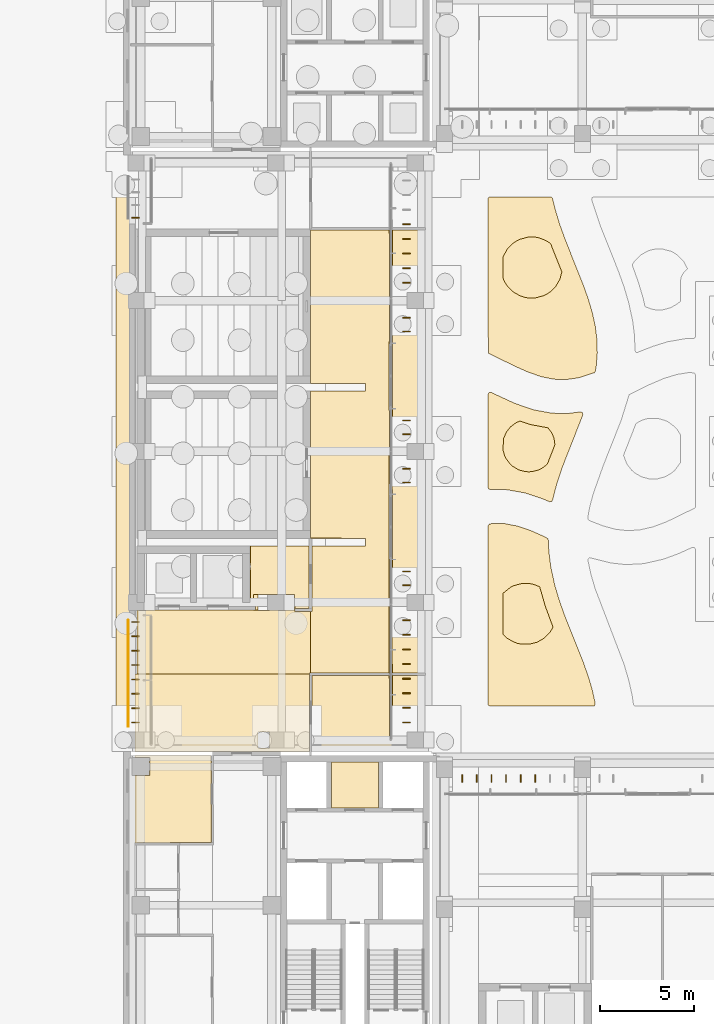
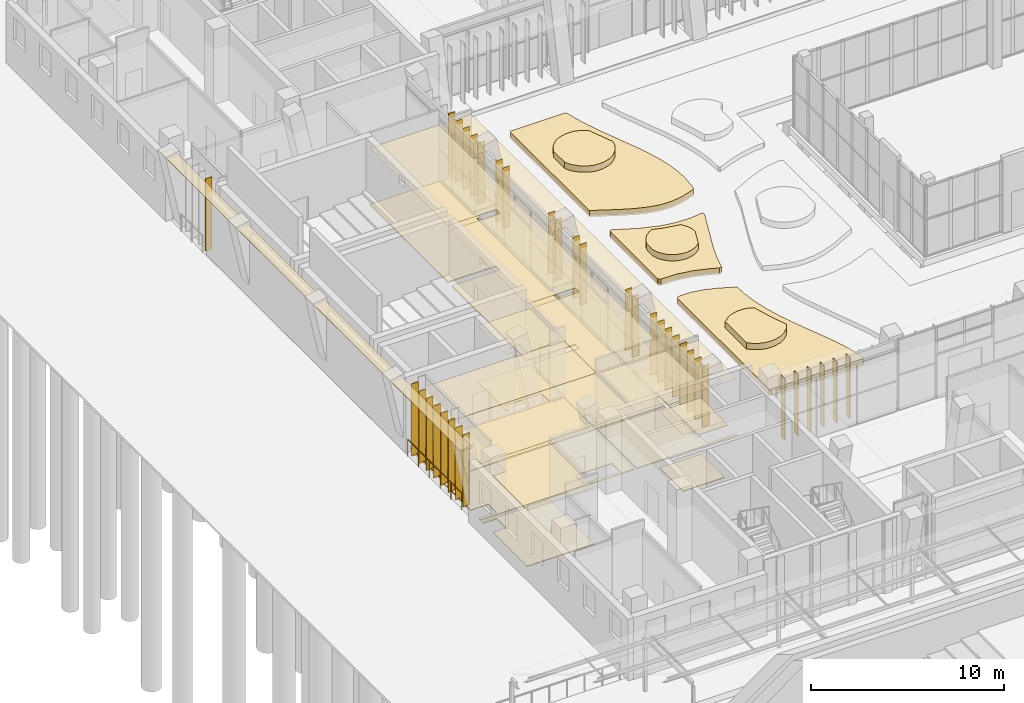
# One storey, part 128 of 144: 36 shading devices, 21 coverings, 1 railing.
"""IFC4 building model written with IfcOpenShell, lengths in metres."""

from ifc_helpers import new_model, si_unit, direction, frame, frame_2d, origin, origin_2d, place, context, subcontext, project, spatial, polyline, rectangle, circle, outline, extrude, material, layer, layer_set, type_object, element, save


model = new_model("IFC4")

# Units and contexts
model_context = context("Model", 3, precision=1e-05, world=origin(), true_north=direction((0.0, 1.0)))
body_context = subcontext(model_context, "Body", "Model", "MODEL_VIEW")
ifc_project = project(units=[si_unit("LENGTHUNIT", "METRE"), si_unit("AREAUNIT", "SQUARE_METRE"), si_unit("VOLUMEUNIT", "CUBIC_METRE"), si_unit("PLANEANGLEUNIT", "RADIAN"), si_unit("MASSUNIT", "GRAM", prefix="KILO")], contexts=[model_context])

# Site, building, storey
site_placement = place(None, origin())
site = spatial("IfcSite", under=ifc_project, at=site_placement, CompositionType="ELEMENT")
building_placement = place(site_placement, origin())
building = spatial("IfcBuilding", under=site, at=building_placement, Name="Lantern Court Media Centre", CompositionType="ELEMENT")
storey_placement = place(building_placement, origin())
storey = spatial("IfcBuildingStorey", under=building, at=storey_placement, Name="L00", CompositionType="ELEMENT", Elevation=0.0)

# Coverings
ifc_material_1 = material(Name="Carpet")
ifc_layer_1 = layer(ifc_material_1, 0.050048828125)
ifc_layer_set_1 = layer_set([ifc_layer_1], Name="Carpet")
covering_type_1 = type_object("IfcCoveringType", Name="Carpet floor finish", PredefinedType="FLOORING", material=ifc_layer_set_1)
covering_1_placement = place(storey_placement, origin())
element("IfcCovering", 1, at=covering_1_placement, inside=storey, type_object=covering_type_1, Name="Box Office floor finish", PredefinedType="FLOORING", context=body_context, shape_type="SweptSolid", body=[
    extrude(outline(polyline([(23.699951171875, 64.10009765625), (17.66748046875, 64.10009765625), (17.66748046875, 68.132568359375), (21.77001953125, 68.132568359375), (21.77490234375, 64.89501953125), (21.929931640625, 64.89990234375), (21.929931640625, 68.132568359375), (23.699951171875, 68.132568359375), (23.699951171875, 65.1298828125), (21.969970703125, 65.125), (21.97265625, 64.2705078125), (23.699951171875, 64.27001953125), (23.699951171875, 64.10009765625)])), origin(), (0.0, 0.0, 1.0), 0.050048828125),
])
covering_2_placement = place(storey_placement, origin())
element("IfcCovering", 2, at=covering_2_placement, inside=storey, type_object=covering_type_1, Name="Visitor Services and Booking floor finish", PredefinedType="FLOORING", context=body_context, shape_type="SweptSolid", body=[
    extrude(outline(polyline([(8.300048828125, 63.89990234375), (12.33251953125, 63.89990234375), (12.33251953125, 59.275390625), (8.300048828125, 59.262939453125), (8.300048828125, 62.820068359375), (9.080078125, 62.824951171875), (9.0791015625, 63.77783203125), (8.300048828125, 63.780029296875), (8.300048828125, 63.89990234375)])), origin(), (0.0, 0.0, 1.0), 0.050048828125),
])
ifc_material_2 = material(Name="Ceramic tile")
ifc_layer_2 = layer(ifc_material_2, 0.050048828125)
ifc_layer_set_2 = layer_set([ifc_layer_2], Name="Ceramic tile")
covering_type_2 = type_object("IfcCoveringType", Name="Ceramic tile floor finish", PredefinedType="FLOORING", material=ifc_layer_set_2)
covering_3_placement = place(storey_placement, origin())
element("IfcCovering", 3, at=covering_3_placement, inside=storey, type_object=covering_type_2, Name="Accessible WC floor finish", PredefinedType="FLOORING", context=body_context, shape_type="SweptSolid", body=[
    extrude(outline(polyline([(17.52001953125, 75.0), (17.52001953125, 71.679931640625), (16.76318359375, 71.679931640625), (16.7587890625, 72.429931640625), (14.573974609375, 72.429931640625), (14.570068359375, 72.0048828125), (14.405029296875, 72.0048828125), (14.405029296875, 75.0), (17.52001953125, 75.0)])), origin(), (0.0, 0.0, 1.0), 0.050048828125),
])
covering_4_placement = place(storey_placement, origin())
element("IfcCovering", 4, at=covering_4_placement, inside=storey, type_object=covering_type_2, Name="Accessible WC floor finish", PredefinedType="FLOORING", context=body_context, shape_type="SweptSolid", body=[
    extrude(outline(polyline([(21.195068359375, 61.10498046875), (18.705078125, 61.10498046875), (18.705078125, 63.544921875), (21.195068359375, 63.544921875), (21.195068359375, 61.10498046875)])), origin(), (0.0, 0.0, 1.0), 0.050048828125),
])
ifc_material_3 = material(Name="Planting soil")
ifc_layer_3 = layer(ifc_material_3, 0.39990234375)
ifc_layer_set_3 = layer_set([ifc_layer_3], Name="Planting soil")
covering_type_3 = type_object("IfcCoveringType", Name="Court planting bed 400", PredefinedType="USERDEFINED", material=ifc_layer_set_3)
covering_5_placement = place(storey_placement, frame((0.0, 0.0, -0.10009765625)))
element("IfcCovering", 5, at=covering_5_placement, inside=storey, type_object=covering_type_3, Name="Court planting bed", ObjectType="PLANTING BED", PredefinedType="USERDEFINED", context=body_context, shape_type="SweptSolid", body=[
    extrude(outline(polyline([(27.1201171875, 93.5), (30.31494140625, 93.5), (30.4189453125, 93.43798828125), (30.5419921875, 92.916015625), (30.797119140625, 92.06298828125), (31.094970703125, 91.23193359375), (32.0458984375, 88.846923828125), (32.31494140625, 88.093017578125), (32.534912109375, 87.346923828125), (32.68994140625, 86.636962890625), (32.779052734375, 85.919921875), (32.7958984375, 85.219970703125), (32.741943359375, 84.530029296875), (32.69189453125, 84.242919921875), (32.64404296875, 84.176025390625), (31.7958984375, 83.903076171875), (31.14892578125, 83.81005859375), (30.491943359375, 83.8310546875), (29.827880859375, 83.965087890625), (29.1259765625, 84.2080078125), (28.37890625, 84.5400390625), (27.01904296875, 85.217041015625), (27.0, 93.3798828125), (27.034912109375, 93.465087890625), (27.1201171875, 93.5)])), origin(), (0.0, 0.0, 1.0), 0.400146484375),
])
covering_6_placement = place(storey_placement, frame((0.0, 0.0, -0.10009765625)))
element("IfcCovering", 6, at=covering_6_placement, inside=storey, type_object=covering_type_3, Name="Court planting bed", ObjectType="PLANTING BED", PredefinedType="USERDEFINED", context=body_context, shape_type="SweptSolid", body=[
    extrude(outline(polyline([(27.26806640625, 76.18798828125), (27.904052734375, 76.174072265625), (28.56103515625, 76.048095703125), (29.278076171875, 75.804931640625), (30.02197265625, 75.47607421875), (30.194091796875, 75.368896484375), (30.23193359375, 74.676025390625), (30.3330078125, 73.875), (30.5419921875, 72.916015625), (30.797119140625, 72.06396484375), (31.0830078125, 71.262939453125), (32.044921875, 68.85009765625), (32.31689453125, 68.0869140625), (32.532958984375, 67.35595703125), (32.68798828125, 66.64501953125), (32.681884765625, 66.574951171875), (32.6279296875, 66.513916015625), (27.1201171875, 66.5), (27.013916015625, 66.56298828125), (27.0, 76.0458984375), (27.06689453125, 76.154052734375), (27.26806640625, 76.18798828125)])), origin(), (0.0, 0.0, 1.0), 0.400146484375),
])
covering_7_placement = place(storey_placement, frame((0.0, 0.0, -0.10009765625)))
element("IfcCovering", 7, at=covering_7_placement, inside=storey, type_object=covering_type_3, Name="Court planting bed", ObjectType="PLANTING BED", PredefinedType="USERDEFINED", context=body_context, shape_type="SweptSolid", body=[
    extrude(outline(polyline([(27.0, 78.10400390625), (27.0, 83.01904296875), (27.0419921875, 83.111083984375), (27.162109375, 83.132080078125), (28.43505859375, 82.544921875), (29.425048828125, 82.208984375), (30.3759765625, 82.031982421875), (31.176025390625, 82.008056640625), (31.9130859375, 82.10107421875), (32.008056640625, 82.06103515625), (32.030029296875, 81.93798828125), (30.9208984375, 79.113037109375), (30.639892578125, 78.2509765625), (30.423095703125, 77.412109375), (30.384033203125, 77.35400390625), (30.27197265625, 77.333984375), (29.887939453125, 77.4990234375), (28.968994140625, 77.802001953125), (28.02197265625, 77.971923828125), (27.1279296875, 77.98388671875), (27.033935546875, 78.02001953125), (27.0, 78.10400390625)])), origin(), (0.0, 0.0, 1.0), 0.400146484375),
])
covering_8_placement = place(storey_placement, frame((0.0, 0.0, 0.300048828125)))
element("IfcCovering", 8, at=covering_8_placement, inside=storey, type_object=covering_type_3, Name="Court shrub island", ObjectType="PLANTING BED", PredefinedType="USERDEFINED", context=body_context, shape_type="SweptSolid", body=[
    extrude(outline(polyline([(29.861083984375, 79.10791015625), (29.697998046875, 79.027099609375), (29.346923828125, 78.93310546875), (29.166015625, 78.922119140625), (28.985107421875, 78.93310546875), (28.634033203125, 79.027099609375), (28.320068359375, 79.208984375), (28.18408203125, 79.3291015625), (27.962890625, 79.615966796875), (27.882080078125, 79.779052734375), (27.800048828125, 80.072021484375), (27.823974609375, 80.6708984375), (27.962890625, 81.006103515625), (28.18408203125, 81.29296875), (28.470947265625, 81.513916015625), (28.68994140625, 81.613037109375), (29.279052734375, 81.422119140625), (30.18310546875, 81.25390625), (30.368896484375, 81.006103515625), (30.449951171875, 80.843017578125), (30.508056640625, 80.6708984375), (30.552001953125, 80.362060546875), (30.14794921875, 79.3291015625), (29.861083984375, 79.10791015625)])), origin(), (0.0, 0.0, 1.0), 0.39990234375),
])
covering_9_placement = place(storey_placement, frame((0.0, 0.0, 0.300048828125)))
element("IfcCovering", 9, at=covering_9_placement, inside=storey, type_object=covering_type_3, Name="Court shrub island", ObjectType="PLANTING BED", PredefinedType="USERDEFINED", context=body_context, shape_type="SweptSolid", body=[
    extrude(outline(polyline([(30.281982421875, 70.407958984375), (29.98291015625, 70.10888671875), (29.616943359375, 69.89794921875), (29.2080078125, 69.7880859375), (28.784912109375, 69.7880859375), (28.577880859375, 69.8291015625), (28.376953125, 69.89794921875), (28.010986328125, 70.10888671875), (27.80908203125, 70.297119140625), (27.804931640625, 72.487060546875), (28.18701171875, 72.797119140625), (28.376953125, 72.89111328125), (28.784912109375, 73.0), (29.2080078125, 73.0), (29.416015625, 72.958984375), (29.741943359375, 72.8291015625), (30.04296875, 71.794921875), (30.450927734375, 70.68798828125), (30.281982421875, 70.407958984375)])), origin(), (0.0, 0.0, 1.0), 0.39990234375),
])
covering_10_placement = place(storey_placement, frame((0.0, 0.0, 0.300048828125)))
element("IfcCovering", 10, at=covering_10_placement, inside=storey, type_object=covering_type_3, Name="Court shrub island", ObjectType="PLANTING BED", PredefinedType="USERDEFINED", context=body_context, shape_type="SweptSolid", body=[
    extrude(outline(polyline([(30.81298828125, 89.1298828125), (30.60205078125, 88.763916015625), (30.302978515625, 88.465087890625), (30.1259765625, 88.346923828125), (29.93603515625, 88.2529296875), (29.528076171875, 88.14404296875), (29.10498046875, 88.14404296875), (28.89697265625, 88.18505859375), (28.696044921875, 88.2529296875), (28.330078125, 88.465087890625), (28.031005859375, 88.763916015625), (27.9130859375, 88.93994140625), (27.81005859375, 89.159912109375), (27.806884765625, 90.33203125), (28.031005859375, 90.736083984375), (28.330078125, 91.034912109375), (28.506103515625, 91.153076171875), (28.696044921875, 91.2470703125), (29.10498046875, 91.35595703125), (29.528076171875, 91.35595703125), (29.736083984375, 91.31494140625), (30.1259765625, 91.153076171875), (30.321044921875, 91.01904296875), (30.91796875, 89.51611328125), (30.81298828125, 89.1298828125)])), origin(), (0.0, 0.0, 1.0), 0.39990234375),
])

# Railing
ifc_material_4 = material(Name="Powder-coated steel", Category="steel")
railing_type = type_object("IfcRailingType", Name="Floor edge guard 1100", PredefinedType="GUARDRAIL", material=ifc_material_4)
railing_placement = place(storey_placement, frame((7.93994140625, 71.050048828125, 0.0)))
element("IfcRailing", 11, at=railing_placement, inside=storey, type_object=railing_type, Name="L00 opening guard 27", PredefinedType="GUARDRAIL", context=body_context, shape_type="SweptSolid", body=[
    extrude(circle(Radius=0.02392578125, at=origin_2d()), frame((0.0, 0.0, 1.076171875), z_axis=(0.0, -1.0, 0.0), x_axis=(1.0, 0.0, 0.0)), (0.0, 0.0, 1.0), 5.625),
    extrude(circle(Radius=0.02099609375, at=origin_2d()), origin(), (0.0, 0.0, 1.0), 1.052001953125),
    extrude(circle(Radius=0.02099609375, at=origin_2d()), frame((0.0, -1.125, 0.0)), (0.0, 0.0, 1.0), 1.052001953125),
    extrude(circle(Radius=0.02099609375, at=origin_2d()), frame((0.0, -2.25, 0.0)), (0.0, 0.0, 1.0), 1.052001953125),
    extrude(circle(Radius=0.02099609375, at=origin_2d()), frame((0.0, -3.375, 0.0)), (0.0, 0.0, 1.0), 1.052001953125),
    extrude(circle(Radius=0.02099609375, at=origin_2d()), frame((0.0, -4.5, 0.0)), (0.0, 0.0, 1.0), 1.052001953125),
    extrude(circle(Radius=0.02099609375, at=origin_2d()), frame((0.0, -5.625, 0.0)), (0.0, 0.0, 1.0), 1.052001953125),
])

# Coverings
ifc_material_5 = material(Name="White fibre cement soffit board")
ifc_layer_4 = layer(ifc_material_5, 0.0400390625)
ifc_layer_set_4 = layer_set([ifc_layer_4], Name="White fibre cement soffit board")
covering_type_4 = type_object("IfcCoveringType", Name="Soffit lining 40", PredefinedType="CLADDING", material=ifc_layer_set_4)
covering_11_placement = place(storey_placement, frame((7.64990234375, 64.39990234375, 4.5400390625), z_axis=(0.0, 0.0, 1.0), x_axis=(0.0, 1.0, 0.0)))
element("IfcCovering", 12, at=covering_11_placement, inside=storey, type_object=covering_type_4, Name="Soffit lining W L00", PredefinedType="CLADDING", context=body_context, shape_type="SweptSolid", body=[
    extrude(rectangle(XDim=31.2001953125, YDim=0.699951171875, at=frame_2d((15.60009765625, 0.0))), origin(), (0.0, 0.0, 1.0), 0.0400390625),
])
ifc_material_6 = material(Name="Mineral fibre ceiling tile")
ifc_layer_5 = layer(ifc_material_6, 0.02001953125)
ifc_layer_set_5 = layer_set([ifc_layer_5], Name="Mineral fibre ceiling tile")
covering_type_5 = type_object("IfcCoveringType", Name="Suspended ceiling tile", PredefinedType="CEILING", material=ifc_layer_set_5)
covering_12_placement = place(storey_placement, frame((0.0, 0.0, 3.60009765625)))
element("IfcCovering", 13, at=covering_12_placement, inside=storey, type_object=covering_type_5, Name="Box Office ceiling", PredefinedType="CEILING", context=body_context, shape_type="SweptSolid", body=[
    extrude(outline(polyline([(23.699951171875, 64.10009765625), (17.6630859375, 64.10009765625), (17.6630859375, 68.136962890625), (21.77001953125, 68.136962890625), (21.7744140625, 68.199951171875), (21.77490234375, 64.8994140625), (21.925537109375, 64.89990234375), (21.925537109375, 68.199951171875), (21.929931640625, 68.136962890625), (23.699951171875, 68.136962890625), (23.699951171875, 64.10009765625)]), holes=[polyline([(22.825439453125, 65.125), (22.222412109375, 65.125244140625), (22.22265625, 64.274658203125), (22.825439453125, 64.274658203125), (22.825439453125, 65.125)])]), origin(), (0.0, 0.0, 1.0), 0.02001953125),
])
covering_13_placement = place(storey_placement, frame((0.0, 0.0, 3.60009765625)))
element("IfcCovering", 14, at=covering_13_placement, inside=storey, type_object=covering_type_5, Name="End Lobby ceiling", PredefinedType="CEILING", context=body_context, shape_type="SweptSolid", body=[
    extrude(outline(polyline([(8.300048828125, 64.10009765625), (8.300048828125, 68.199951171875), (17.537109375, 68.199951171875), (17.537109375, 64.10009765625), (8.300048828125, 64.10009765625)]), holes=[polyline([(15.425537109375, 65.125), (14.822509765625, 65.125244140625), (14.822509765625, 64.274658203125), (15.425537109375, 64.274658203125), (15.425537109375, 65.125)])]), origin(), (0.0, 0.0, 1.0), 0.02001953125),
])
covering_14_placement = place(storey_placement, frame((0.0, 0.0, 3.60009765625)))
element("IfcCovering", 15, at=covering_14_placement, inside=storey, type_object=covering_type_5, Name="Lift Lobby ceiling", PredefinedType="CEILING", context=body_context, shape_type="SweptSolid", body=[
    extrude(outline(polyline([(17.60009765625, 68.262939453125), (17.537109375, 68.262939453125), (17.537109375, 68.199951171875), (8.39990234375, 68.199951171875), (8.39990234375, 71.599609375), (14.822509765625, 71.60009765625), (14.822998046875, 71.574462890625), (15.425048828125, 71.574462890625), (15.425537109375, 71.60009765625), (16.7626953125, 71.60009765625), (16.76318359375, 71.5244140625), (17.60009765625, 71.5244140625), (17.60009765625, 68.262939453125)])), origin(), (0.0, 0.0, 1.0), 0.02001953125),
])
covering_15_placement = place(storey_placement, frame((0.0, 0.0, 3.60009765625)))
element("IfcCovering", 16, at=covering_15_placement, inside=storey, type_object=covering_type_5, Name="Accessible WC ceiling", PredefinedType="CEILING", context=body_context, shape_type="SweptSolid", body=[
    extrude(outline(polyline([(17.5244140625, 75.0), (17.5244140625, 71.675537109375), (16.76318359375, 71.675537109375), (16.7626953125, 71.60009765625), (15.425537109375, 71.60009765625), (15.425537109375, 72.42529296875), (14.822998046875, 72.425537109375), (14.822509765625, 71.60009765625), (14.683837890625, 71.60009765625), (14.683837890625, 72.000244140625), (14.400390625, 72.00048828125), (14.400390625, 75.0), (17.5244140625, 75.0)])), origin(), (0.0, 0.0, 1.0), 0.02001953125),
])
covering_16_placement = place(storey_placement, frame((0.0, 0.0, 3.60009765625)))
element("IfcCovering", 17, at=covering_16_placement, inside=storey, type_object=covering_type_5, Name="Cinema Lobby ceiling", PredefinedType="CEILING", context=body_context, shape_type="SweptSolid", body=[
    extrude(outline(polyline([(21.7705078125, 68.199951171875), (21.77001953125, 68.262939453125), (17.60009765625, 68.262939453125), (17.60009765625, 71.5244140625), (17.675537109375, 71.52490234375), (17.675537109375, 75.0), (20.5, 75.0), (20.5, 75.39990234375), (17.6005859375, 75.400390625), (17.6005859375, 83.199951171875), (20.5, 83.199951171875), (20.5, 83.60009765625), (17.6005859375, 83.60009765625), (17.6005859375, 91.737060546875), (21.77001953125, 91.737060546875), (21.7744140625, 91.800048828125), (21.77490234375, 88.199462890625), (21.925537109375, 88.199951171875), (21.925537109375, 91.800048828125), (21.929931640625, 91.737060546875), (23.699951171875, 91.737060546875), (23.699951171875, 68.262939453125), (21.929931640625, 68.262939453125), (21.925537109375, 68.199951171875), (21.925537109375, 71.800048828125), (21.77490234375, 71.800537109375), (21.7705078125, 68.199951171875)]), holes=[polyline([(22.825439453125, 72.425048828125), (22.222412109375, 72.42529296875), (22.22265625, 71.574462890625), (22.825439453125, 71.57470703125), (22.825439453125, 72.425048828125)]), polyline([(22.825439453125, 80.425048828125), (22.222412109375, 80.42529296875), (22.22265625, 79.574462890625), (22.825439453125, 79.57470703125), (22.825439453125, 80.425048828125)]), polyline([(22.825439453125, 88.425048828125), (22.222412109375, 88.42529296875), (22.22265625, 87.574462890625), (22.825439453125, 87.57470703125), (22.825439453125, 88.425048828125)]), polyline([(21.925537109375, 79.800048828125), (21.7744140625, 79.800048828125), (21.759521484375, 74.300048828125), (21.7744140625, 74.299560546875), (21.77490234375, 72.199462890625), (21.925537109375, 72.199951171875), (21.925537109375, 74.299560546875), (21.9404296875, 74.300048828125), (21.925537109375, 79.800048828125)]), polyline([(21.925537109375, 82.299560546875), (21.9404296875, 82.300048828125), (21.925537109375, 87.800048828125), (21.77490234375, 87.800537109375), (21.7744140625, 85.700439453125), (21.759521484375, 85.699951171875), (21.77490234375, 80.199462890625), (21.925537109375, 80.199951171875), (21.925537109375, 82.299560546875)])]), origin(), (0.0, 0.0, 1.0), 0.02001953125),
])
covering_17_placement = place(storey_placement, frame((0.0, 0.0, 3.60009765625)))
element("IfcCovering", 18, at=covering_17_placement, inside=storey, type_object=covering_type_5, Name="Accessible WC ceiling", PredefinedType="CEILING", context=body_context, shape_type="SweptSolid", body=[
    extrude(outline(polyline([(21.199462890625, 61.1005859375), (18.700439453125, 61.1005859375), (18.700439453125, 63.549560546875), (21.199462890625, 63.549560546875), (21.199462890625, 61.1005859375)])), origin(), (0.0, 0.0, 1.0), 0.02001953125),
])
covering_18_placement = place(storey_placement, frame((0.0, 0.0, 3.60009765625)))
element("IfcCovering", 19, at=covering_18_placement, inside=storey, type_object=covering_type_5, Name="Visitor Services and Booking ceiling", PredefinedType="CEILING", context=body_context, shape_type="SweptSolid", body=[
    extrude(outline(polyline([(8.300048828125, 63.89990234375), (12.3369140625, 63.89990234375), (12.3369140625, 59.27099609375), (8.300048828125, 59.258544921875), (8.300048828125, 62.824462890625), (9.075439453125, 62.824951171875), (9.075439453125, 63.775390625), (8.300048828125, 63.775390625), (8.300048828125, 63.89990234375)])), origin(), (0.0, 0.0, 1.0), 0.02001953125),
])
ifc_material_7 = material(Name="Terrazzo")
ifc_layer_6 = layer(ifc_material_7, 0.050048828125)
ifc_layer_set_6 = layer_set([ifc_layer_6], Name="Terrazzo")
covering_type_6 = type_object("IfcCoveringType", Name="Terrazzo floor finish", PredefinedType="FLOORING", material=ifc_layer_set_6)
covering_19_placement = place(storey_placement, origin())
element("IfcCovering", 20, at=covering_19_placement, inside=storey, type_object=covering_type_6, Name="End Lobby floor finish", PredefinedType="FLOORING", context=body_context, shape_type="SweptSolid", body=[
    extrude(outline(polyline([(8.300048828125, 68.199951171875), (17.532470703125, 68.199951171875), (17.532470703125, 64.10009765625), (8.300048828125, 64.10009765625), (8.300048828125, 64.27001953125), (9.36328125, 64.27490234375), (9.361572265625, 65.12890625), (8.300048828125, 65.1298828125), (8.300048828125, 68.199951171875)]), holes=[polyline([(14.570068359375, 64.27490234375), (16.76025390625, 64.270263671875), (16.762939453125, 65.126953125), (14.572998046875, 65.129638671875), (14.570068359375, 64.27490234375)])]), origin(), (0.0, 0.0, 1.0), 0.050048828125),
])
covering_20_placement = place(storey_placement, origin())
element("IfcCovering", 21, at=covering_20_placement, inside=storey, type_object=covering_type_6, Name="Lift Lobby floor finish", PredefinedType="FLOORING", context=body_context, shape_type="SweptSolid", body=[
    extrude(outline(polyline([(17.60009765625, 68.267578125), (17.533935546875, 68.26611328125), (17.532470703125, 68.199951171875), (8.39990234375, 68.199951171875), (8.39990234375, 71.570068359375), (9.3583984375, 71.570068359375), (9.36328125, 71.594970703125), (14.570068359375, 71.594970703125), (14.574951171875, 71.570068359375), (16.75830078125, 71.570068359375), (16.7626953125, 71.52001953125), (17.60009765625, 71.52001953125), (17.60009765625, 68.267578125)])), origin(), (0.0, 0.0, 1.0), 0.050048828125),
])
covering_21_placement = place(storey_placement, origin())
element("IfcCovering", 22, at=covering_21_placement, inside=storey, type_object=covering_type_6, Name="Cinema Lobby floor finish", PredefinedType="FLOORING", context=body_context, shape_type="SweptSolid", body=[
    extrude(outline(polyline([(23.699951171875, 68.267578125), (21.929931640625, 68.267578125), (21.925048828125, 71.804931640625), (21.77001953125, 71.800048828125), (21.77001953125, 68.267578125), (17.60009765625, 68.267578125), (17.60009765625, 71.52001953125), (17.679931640625, 71.52490234375), (17.679931640625, 75.0), (20.5, 75.0), (20.5, 75.39990234375), (17.60498046875, 75.405029296875), (17.60498046875, 83.199951171875), (20.5, 83.199951171875), (20.5, 83.60009765625), (17.60498046875, 83.60009765625), (17.60498046875, 91.732421875), (21.77001953125, 91.732421875), (21.77490234375, 88.195068359375), (21.929931640625, 88.199951171875), (21.929931640625, 91.732421875), (23.699951171875, 91.732421875), (23.699951171875, 88.429931640625), (21.969970703125, 88.425048828125), (21.97265625, 87.570556640625), (23.699951171875, 87.570068359375), (23.699951171875, 80.429931640625), (21.969970703125, 80.425048828125), (21.97265625, 79.570556640625), (23.699951171875, 79.570068359375), (23.699951171875, 72.429931640625), (21.969970703125, 72.425048828125), (21.97265625, 71.570556640625), (23.699951171875, 71.570068359375), (23.699951171875, 68.267578125)]), holes=[polyline([(21.77001953125, 72.199951171875), (21.929931640625, 72.199951171875), (21.945068359375, 77.699951171875), (21.929931640625, 77.705078125), (21.925048828125, 79.804931640625), (21.77001953125, 79.800048828125), (21.77001953125, 77.705078125), (21.7548828125, 77.699951171875), (21.77001953125, 72.199951171875)]), polyline([(21.929931640625, 82.294921875), (21.945068359375, 82.300048828125), (21.929931640625, 87.800048828125), (21.77490234375, 87.804931640625), (21.77001953125, 85.705078125), (21.7548828125, 85.699951171875), (21.7548828125, 82.300048828125), (21.77001953125, 82.294921875), (21.7744140625, 80.195068359375), (21.929931640625, 80.199462890625), (21.929931640625, 82.294921875)])]), origin(), (0.0, 0.0, 1.0), 0.050048828125),
])

# Shading devices
ifc_material_8 = material(Name="Bronze anodised aluminium louvre", Category="aluminium")
ifc_layer_7 = layer(ifc_material_8, 0.0400390625)
ifc_layer_set_7 = layer_set([ifc_layer_7], Name="Bronze anodised aluminium louvre")
shading_device_type_1 = type_object("IfcShadingDeviceType", Name="Vertical louvre 40x400 full storey", PredefinedType="USERDEFINED", material=ifc_layer_set_7)
for number, where, z_axis, x_axis, name in (
    (23, (8.320068359375, 65.63134765625, 0.0), (0.0, 0.0, 1.0), (1.0, 0.0, 0.0), "Vertical louvre W outer L00"),
    (24, (8.320068359375, 66.393798828125, 0.0), (0.0, 0.0, 1.0), (1.0, 0.0, 0.0), "Vertical louvre W outer L00"),
    (25, (8.320068359375, 67.15625, 0.0), (0.0, 0.0, 1.0), (1.0, 0.0, 0.0), "Vertical louvre W outer L00"),
    (26, (8.320068359375, 67.918701171875, 0.0), (0.0, 0.0, 1.0), (1.0, 0.0, 0.0), "Vertical louvre W outer L00"),
    (27, (8.320068359375, 68.68115234375, 0.0), (0.0, 0.0, 1.0), (1.0, 0.0, 0.0), "Vertical louvre W outer L00"),
    (28, (8.320068359375, 69.44384765625, 0.0), (0.0, 0.0, 1.0), (1.0, 0.0, 0.0), "Vertical louvre W outer L00"),
    (29, (8.320068359375, 70.206298828125, 0.0), (0.0, 0.0, 1.0), (1.0, 0.0, 0.0), "Vertical louvre W outer L00"),
    (30, (8.320068359375, 70.96875, 0.0), (0.0, 0.0, 1.0), (1.0, 0.0, 0.0), "Vertical louvre W outer L00"),
    (31, (8.320068359375, 92.387451171875, 0.0), (0.0, 0.0, 1.0), (1.0, 0.0, 0.0), "Vertical louvre W outer L00"),
):
    element("IfcShadingDevice", number, at=place(storey_placement, frame(where, z_axis=z_axis, x_axis=x_axis)), inside=storey, type_object=shading_device_type_1, Name=name, ObjectType="VERTICAL LOUVRE", PredefinedType="USERDEFINED", context=body_context, shape_type="SweptSolid", body=[
        extrude(rectangle(XDim=0.39990234375, YDim=0.0400390625, at=origin_2d()), origin(), (0.0, 0.0, 1.0), 4.580078125),
    ])
ifc_layer_8 = layer(ifc_material_8, 0.0400390625)
ifc_layer_set_8 = layer_set([ifc_layer_8], Name="Bronze anodised aluminium louvre")
shading_device_type_2 = type_object("IfcShadingDeviceType", Name="Vertical louvre 40x400 under beam", PredefinedType="USERDEFINED", material=ifc_layer_set_8)
for number, where, z_axis, x_axis, name in (
    (32, (25.637451171875, 62.679931640625, 0.0), (0.0, 0.0, 1.0), (1.0, 0.0, 0.0), "Vertical louvre S inner L00"),
    (33, (26.41259765625, 62.679931640625, 0.0), (0.0, 0.0, 1.0), (1.0, 0.0, 0.0), "Vertical louvre S inner L00"),
    (34, (27.1875, 62.679931640625, 0.0), (0.0, 0.0, 1.0), (1.0, 0.0, 0.0), "Vertical louvre S inner L00"),
    (35, (27.96240234375, 62.679931640625, 0.0), (0.0, 0.0, 1.0), (1.0, 0.0, 0.0), "Vertical louvre S inner L00"),
    (36, (28.737548828125, 62.679931640625, 0.0), (0.0, 0.0, 1.0), (1.0, 0.0, 0.0), "Vertical louvre S inner L00"),
    (37, (29.512451171875, 62.679931640625, 0.0), (0.0, 0.0, 1.0), (1.0, 0.0, 0.0), "Vertical louvre S inner L00"),
):
    element("IfcShadingDevice", number, at=place(storey_placement, frame(where, z_axis=z_axis, x_axis=x_axis)), inside=storey, type_object=shading_device_type_2, Name=name, ObjectType="VERTICAL LOUVRE", PredefinedType="USERDEFINED", context=body_context, shape_type="SweptSolid", body=[
        extrude(rectangle(XDim=0.0400390625, YDim=0.39990234375, at=origin_2d()), origin(), (0.0, 0.0, 1.0), 3.89990234375),
    ])
for number, where, z_axis, x_axis, name in (
    (38, (22.679931640625, 65.637451171875, 0.0), (0.0, 0.0, 1.0), (1.0, 0.0, 0.0), "Vertical louvre W inner L00"),
    (39, (22.679931640625, 66.41259765625, 0.0), (0.0, 0.0, 1.0), (1.0, 0.0, 0.0), "Vertical louvre W inner L00"),
    (40, (22.679931640625, 67.1875, 0.0), (0.0, 0.0, 1.0), (1.0, 0.0, 0.0), "Vertical louvre W inner L00"),
    (41, (22.679931640625, 67.96240234375, 0.0), (0.0, 0.0, 1.0), (1.0, 0.0, 0.0), "Vertical louvre W inner L00"),
    (42, (22.679931640625, 68.737548828125, 0.0), (0.0, 0.0, 1.0), (1.0, 0.0, 0.0), "Vertical louvre W inner L00"),
    (43, (22.679931640625, 69.512451171875, 0.0), (0.0, 0.0, 1.0), (1.0, 0.0, 0.0), "Vertical louvre W inner L00"),
    (44, (22.679931640625, 70.28759765625, 0.0), (0.0, 0.0, 1.0), (1.0, 0.0, 0.0), "Vertical louvre W inner L00"),
    (45, (22.679931640625, 71.0625, 0.0), (0.0, 0.0, 1.0), (1.0, 0.0, 0.0), "Vertical louvre W inner L00"),
    (46, (22.679931640625, 72.91259765625, 0.0), (0.0, 0.0, 1.0), (1.0, 0.0, 0.0), "Vertical louvre W inner L00"),
    (47, (22.679931640625, 73.637451171875, 0.0), (0.0, 0.0, 1.0), (1.0, 0.0, 0.0), "Vertical louvre W inner L00"),
    (48, (22.679931640625, 78.362548828125, 0.0), (0.0, 0.0, 1.0), (1.0, 0.0, 0.0), "Vertical louvre W inner L00"),
    (49, (22.679931640625, 79.08740234375, 0.0), (0.0, 0.0, 1.0), (1.0, 0.0, 0.0), "Vertical louvre W inner L00"),
    (50, (22.679931640625, 80.91259765625, 0.0), (0.0, 0.0, 1.0), (1.0, 0.0, 0.0), "Vertical louvre W inner L00"),
    (51, (22.679931640625, 81.637451171875, 0.0), (0.0, 0.0, 1.0), (1.0, 0.0, 0.0), "Vertical louvre W inner L00"),
    (52, (22.679931640625, 86.362548828125, 0.0), (0.0, 0.0, 1.0), (1.0, 0.0, 0.0), "Vertical louvre W inner L00"),
    (53, (22.679931640625, 87.08740234375, 0.0), (0.0, 0.0, 1.0), (1.0, 0.0, 0.0), "Vertical louvre W inner L00"),
    (54, (22.679931640625, 88.9375, 0.0), (0.0, 0.0, 1.0), (1.0, 0.0, 0.0), "Vertical louvre W inner L00"),
    (55, (22.679931640625, 89.71240234375, 0.0), (0.0, 0.0, 1.0), (1.0, 0.0, 0.0), "Vertical louvre W inner L00"),
    (56, (22.679931640625, 90.487548828125, 0.0), (0.0, 0.0, 1.0), (1.0, 0.0, 0.0), "Vertical louvre W inner L00"),
    (57, (22.679931640625, 91.262451171875, 0.0), (0.0, 0.0, 1.0), (1.0, 0.0, 0.0), "Vertical louvre W inner L00"),
    (58, (22.679931640625, 92.03759765625, 0.0), (0.0, 0.0, 1.0), (1.0, 0.0, 0.0), "Vertical louvre W inner L00"),
):
    element("IfcShadingDevice", number, at=place(storey_placement, frame(where, z_axis=z_axis, x_axis=x_axis)), inside=storey, type_object=shading_device_type_2, Name=name, ObjectType="VERTICAL LOUVRE", PredefinedType="USERDEFINED", context=body_context, shape_type="SweptSolid", body=[
        extrude(rectangle(XDim=0.39990234375, YDim=0.0400390625, at=origin_2d()), origin(), (0.0, 0.0, 1.0), 3.89990234375),
    ])

save(model, "model.ifc")
